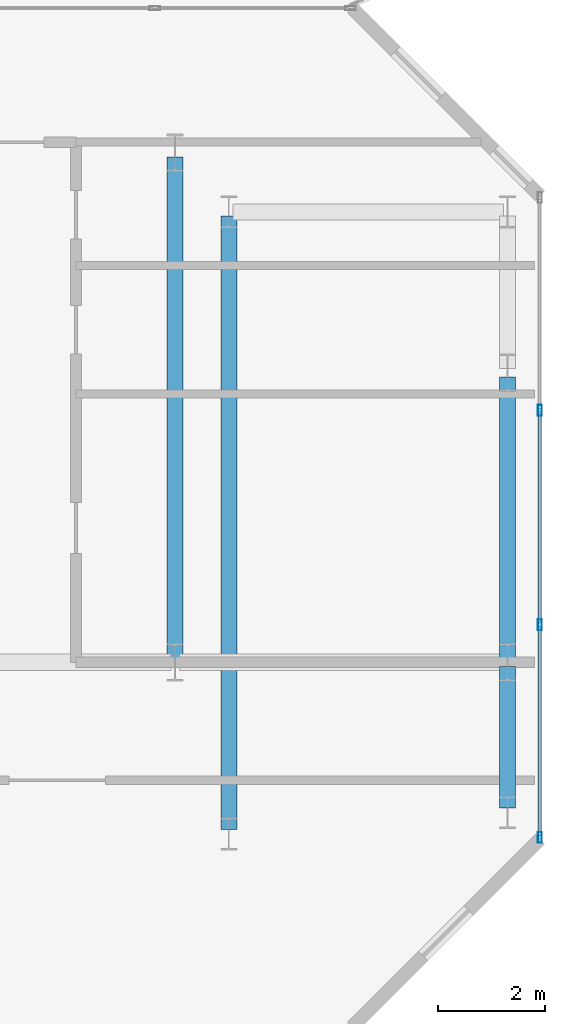
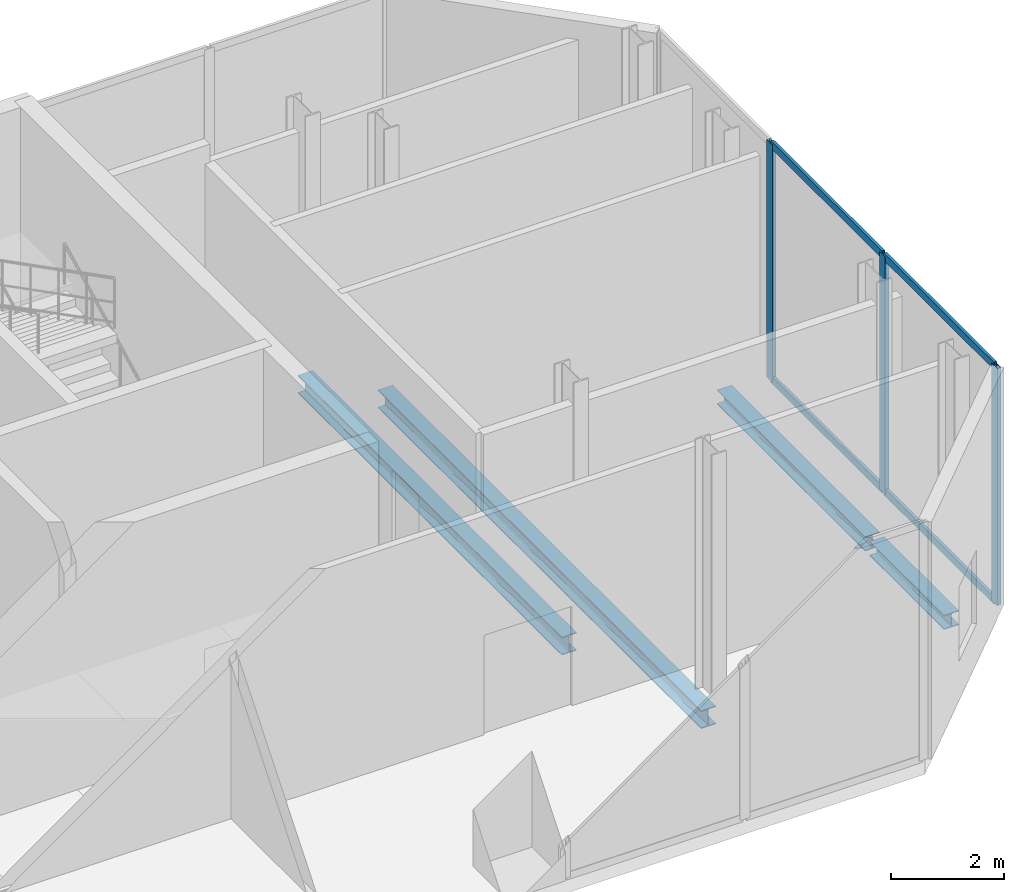
# One storey, part 11 of 18: 7 members, 4 beams, 1 element without a shape of its own.
"""IFC4 building model written with IfcOpenShell, lengths in metres."""

from ifc_helpers import new_model, si_unit, direction, frame, origin, origin_2d, place, context, subcontext, project, spatial, hollow_rectangle, i_section, extrude, material, layer, layer_set, material_profile, profile_set, type_object, element, aggregate, save


model = new_model("IFC4")

# Units and contexts
model_context = context("Model", 3, precision=1e-05, world=origin(), true_north=direction((0.0, 1.0)))
body_context = subcontext(model_context, "Body", "Model", "MODEL_VIEW")
ifc_project = project(units=[si_unit("LENGTHUNIT", "METRE"), si_unit("AREAUNIT", "SQUARE_METRE"), si_unit("VOLUMEUNIT", "CUBIC_METRE"), si_unit("PLANEANGLEUNIT", "RADIAN"), si_unit("MASSUNIT", "GRAM", prefix="KILO")], contexts=[model_context])

# Site, building, storey
site_placement = place(None, origin())
site = spatial("IfcSite", under=ifc_project, at=site_placement, CompositionType="ELEMENT")
building_placement = place(site_placement, origin())
building = spatial("IfcBuilding", under=site, at=building_placement, Name="Catumbela Crestline Tower", CompositionType="ELEMENT")
storey_placement = place(building_placement, frame((0.0, 0.0, 148.8)))
storey = spatial("IfcBuildingStorey", under=building, at=storey_placement, Name="L38", CompositionType="ELEMENT", Elevation=148.8)

# Beams
ifc_material_1 = material(Name="Structural steel S355J2", Category="steel")
ifc_material_profile_1 = material_profile(ifc_material_1, i_section(OverallWidth=0.3, OverallDepth=0.39, WebThickness=0.011, FlangeThickness=0.019, FilletRadius=0.027, at=origin_2d()), Name="HEA 400")
ifc_profile_set_1 = profile_set([ifc_material_profile_1], Name="Structural steel S355J2")
beam_type_1 = type_object("IfcBeamType", Name="BG-HEA400", PredefinedType="BEAM", material=ifc_profile_set_1)
beam_1_placement = place(storey_placement, frame((44.2, 30.88, -0.545), z_axis=(0.0, 1.0, 0.0), x_axis=(-1.0, 0.0, 0.0)))
element("IfcBeam", 1, at=beam_1_placement, inside=storey, type_object=beam_type_1, Name="L38 Beam BM-L38-SN21", PredefinedType="BEAM", context=body_context, shape_type="SweptSolid", body=[
    extrude(i_section(OverallWidth=0.3, OverallDepth=0.39, WebThickness=0.011, FlangeThickness=0.019, FilletRadius=0.027, at=origin_2d()), origin(), (0.0, 0.0, 1.0), 9.34),
])
beam_2_placement = place(storey_placement, frame((45.2, 27.68, -0.545), z_axis=(0.0, 1.0, 0.0), x_axis=(-1.0, 0.0, 0.0)))
element("IfcBeam", 2, at=beam_2_placement, inside=storey, type_object=beam_type_1, Name="L38 Beam BM-L38-SN22", PredefinedType="BEAM", context=body_context, shape_type="SweptSolid", body=[
    extrude(i_section(OverallWidth=0.3, OverallDepth=0.39, WebThickness=0.011, FlangeThickness=0.019, FilletRadius=0.027, at=origin_2d()), origin(), (0.0, 0.0, 1.0), 11.44),
])

# Curtain wall, members
ifc_material_2 = material(Name="Aluminium alloy AW-6060-T66", Category="aluminium")
ifc_layer = layer(ifc_material_2, 0.18, Name="Aluminium alloy AW-6060-T66")
ifc_layer_set = layer_set([ifc_layer], Name="Aluminium alloy AW-6060-T66")
curtain_wall_type = type_object("IfcCurtainWallType", Name="CWU-SKY", PredefinedType="USERDEFINED", material=ifc_layer_set)
curtain_wall_placement = place(storey_placement, origin())
curtain_wall = element("IfcCurtainWall", 3, at=curtain_wall_placement, inside=storey, type_object=curtain_wall_type, Name="L38 Unitised Curtain Wall CW-L38-E5S1", ObjectType="UNITISED", PredefinedType="USERDEFINED")
ifc_material_profile_2 = material_profile(ifc_material_2, hollow_rectangle(XDim=0.075, YDim=0.2, WallThickness=0.005, at=origin_2d()), Name="ALU 200x75x5")
ifc_profile_set_2 = profile_set([ifc_material_profile_2], Name="Aluminium alloy AW-6060-T66")
member_type_1 = type_object("IfcMemberType", Name="MUL-200X75", PredefinedType="MULLION", material=ifc_profile_set_2)
member_1_placement = place(storey_placement, frame((51.0, 27.5325, 0.0), z_axis=(0.0, 0.0, 1.0), x_axis=(-1.0, 0.0, 0.0)))
member_1 = element("IfcMember", 4, at=member_1_placement, type_object=member_type_1, Name="CWU-SKY mullion 1", PredefinedType="MULLION", context=body_context, shape_type="SweptSolid", body=[
    extrude(hollow_rectangle(XDim=0.075, YDim=0.2, WallThickness=0.005, at=origin_2d()), origin(), (0.0, 0.0, 1.0), 5.13),
])
member_2_placement = place(storey_placement, frame((51.0, 31.5, 0.0), z_axis=(0.0, 0.0, 1.0), x_axis=(-1.0, 0.0, 0.0)))
member_2 = element("IfcMember", 5, at=member_2_placement, type_object=member_type_1, Name="CWU-SKY mullion 2", PredefinedType="MULLION", context=body_context, shape_type="SweptSolid", body=[
    extrude(hollow_rectangle(XDim=0.075, YDim=0.2, WallThickness=0.005, at=origin_2d()), origin(), (0.0, 0.0, 1.0), 5.13),
])
member_3_placement = place(storey_placement, frame((51.0, 35.5, 0.0), z_axis=(0.0, 0.0, 1.0), x_axis=(-1.0, 0.0, 0.0)))
member_3 = element("IfcMember", 6, at=member_3_placement, type_object=member_type_1, Name="CWU-SKY mullion 3", PredefinedType="MULLION", context=body_context, shape_type="SweptSolid", body=[
    extrude(hollow_rectangle(XDim=0.075, YDim=0.2, WallThickness=0.005, at=origin_2d()), origin(), (0.0, 0.0, 1.0), 5.13),
])

# Beams
ifc_material_profile_3 = material_profile(ifc_material_1, i_section(OverallWidth=0.3, OverallDepth=0.31, WebThickness=0.009, FlangeThickness=0.0155, FilletRadius=0.027, at=origin_2d()), Name="HEA 320")
ifc_profile_set_3 = profile_set([ifc_material_profile_3], Name="Structural steel S355J2")
beam_type_2 = type_object("IfcBeamType", Name="BS-HEA320", PredefinedType="SPANDREL", material=ifc_profile_set_3)
beam_3_placement = place(storey_placement, frame((50.4, 28.08, -0.505), z_axis=(0.0, 1.0, 0.0), x_axis=(-1.0, 0.0, 0.0)))
element("IfcBeam", 7, at=beam_3_placement, inside=storey, type_object=beam_type_2, Name="L38 Spandrel SP-L38-SN23", PredefinedType="SPANDREL", context=body_context, shape_type="SweptSolid", body=[
    extrude(i_section(OverallWidth=0.3, OverallDepth=0.31, WebThickness=0.009, FlangeThickness=0.0155, FilletRadius=0.027, at=origin_2d()), origin(), (0.0, 0.0, 1.0), 2.64),
])
beam_4_placement = place(storey_placement, frame((50.4, 30.88, -0.505), z_axis=(0.0, 1.0, 0.0), x_axis=(-1.0, 0.0, 0.0)))
element("IfcBeam", 8, at=beam_4_placement, inside=storey, type_object=beam_type_2, Name="L38 Spandrel SP-L38-SN24", PredefinedType="SPANDREL", context=body_context, shape_type="SweptSolid", body=[
    extrude(i_section(OverallWidth=0.3, OverallDepth=0.31, WebThickness=0.009, FlangeThickness=0.0155, FilletRadius=0.027, at=origin_2d()), origin(), (0.0, 0.0, 1.0), 5.24),
])

# Member
ifc_material_profile_4 = material_profile(ifc_material_2, hollow_rectangle(XDim=0.06, YDim=0.16, WallThickness=0.004, at=origin_2d()), Name="ALU 160x60x4")
ifc_profile_set_4 = profile_set([ifc_material_profile_4], Name="Aluminium alloy AW-6060-T66")
member_type_2 = type_object("IfcMemberType", Name="TRN-160X60", PredefinedType="USERDEFINED", material=ifc_profile_set_4)
member_4_placement = place(storey_placement, frame((51.0, 27.565, 0.03), z_axis=(0.0, 1.0, 0.0), x_axis=(-1.0, 0.0, 0.0)))
member_4 = element("IfcMember", 9, at=member_4_placement, type_object=member_type_2, Name="CWU-SKY transom 1.1", ObjectType="TRANSOM", PredefinedType="USERDEFINED", context=body_context, shape_type="SweptSolid", body=[
    extrude(hollow_rectangle(XDim=0.06, YDim=0.16, WallThickness=0.004, at=origin_2d()), origin(), (0.0, 0.0, 1.0), 3.9025),
])

member_5_placement = place(storey_placement, frame((51.0, 27.565, 5.1), z_axis=(0.0, 1.0, 0.0), x_axis=(-1.0, 0.0, 0.0)))
member_5 = element("IfcMember", 10, at=member_5_placement, type_object=member_type_2, Name="CWU-SKY transom 1.2", ObjectType="TRANSOM", PredefinedType="USERDEFINED", context=body_context, shape_type="SweptSolid", body=[
    extrude(hollow_rectangle(XDim=0.06, YDim=0.16, WallThickness=0.004, at=origin_2d()), origin(), (0.0, 0.0, 1.0), 3.9025),
])

member_6_placement = place(storey_placement, frame((51.0, 31.5325, 0.03), z_axis=(0.0, 1.0, 0.0), x_axis=(-1.0, 0.0, 0.0)))
member_6 = element("IfcMember", 11, at=member_6_placement, type_object=member_type_2, Name="CWU-SKY transom 2.1", ObjectType="TRANSOM", PredefinedType="USERDEFINED", context=body_context, shape_type="SweptSolid", body=[
    extrude(hollow_rectangle(XDim=0.06, YDim=0.16, WallThickness=0.004, at=origin_2d()), origin(), (0.0, 0.0, 1.0), 3.935),
])

member_7_placement = place(storey_placement, frame((51.0, 31.5325, 5.1), z_axis=(0.0, 1.0, 0.0), x_axis=(-1.0, 0.0, 0.0)))
member_7 = element("IfcMember", 12, at=member_7_placement, type_object=member_type_2, Name="CWU-SKY transom 2.2", ObjectType="TRANSOM", PredefinedType="USERDEFINED", context=body_context, shape_type="SweptSolid", body=[
    extrude(hollow_rectangle(XDim=0.06, YDim=0.16, WallThickness=0.004, at=origin_2d()), origin(), (0.0, 0.0, 1.0), 3.935),
])

aggregate(curtain_wall, [member_1, member_2, member_3, member_4, member_5, member_6, member_7])

save(model, "model.ifc")
